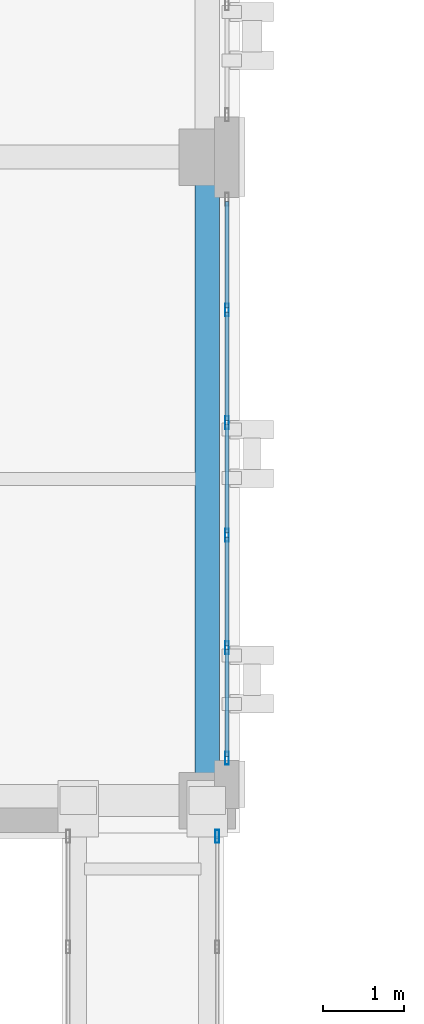
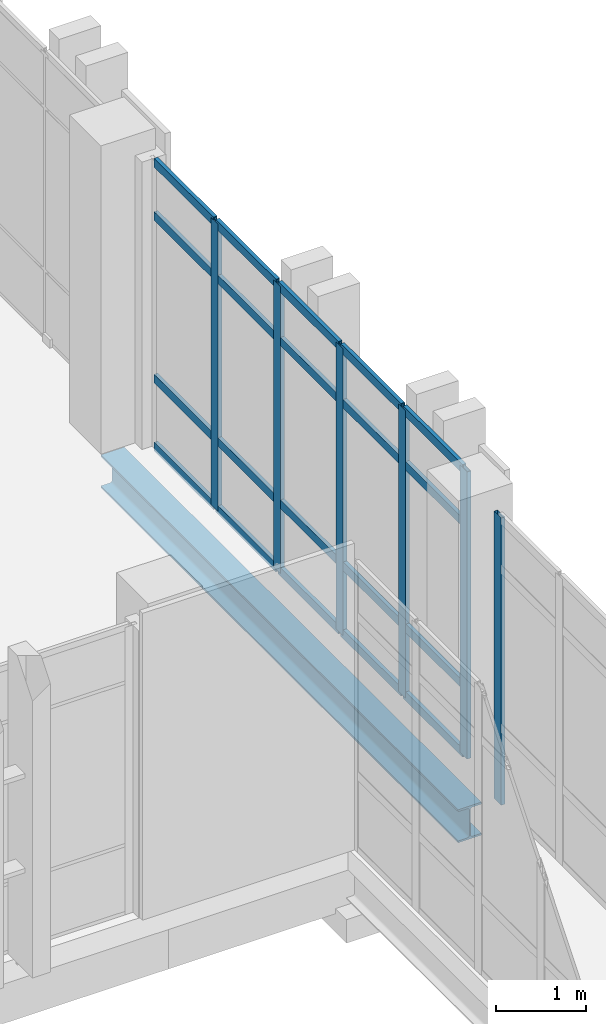
# One storey, part 24 of 193: 26 members, 1 beam, 2 elements without a shape of their own.
"""IFC4 building model written with IfcOpenShell, lengths in metres."""

from ifc_helpers import new_model, si_unit, direction, frame, origin, origin_2d, place, context, subcontext, project, spatial, hollow_rectangle, i_section, extrude, material, layer, layer_set, material_profile, profile_set, type_object, element, aggregate, save


model = new_model("IFC4")

# Units and contexts
model_context = context("Model", 3, precision=1e-05, world=origin(), true_north=direction((0.0, 1.0)))
body_context = subcontext(model_context, "Body", "Model", "MODEL_VIEW")
ifc_project = project(units=[si_unit("LENGTHUNIT", "METRE"), si_unit("AREAUNIT", "SQUARE_METRE"), si_unit("VOLUMEUNIT", "CUBIC_METRE"), si_unit("PLANEANGLEUNIT", "RADIAN"), si_unit("MASSUNIT", "GRAM", prefix="KILO")], contexts=[model_context])

# Site, building, storey
site_placement = place(None, origin())
site = spatial("IfcSite", under=ifc_project, at=site_placement, CompositionType="ELEMENT")
building_placement = place(site_placement, origin())
building = spatial("IfcBuilding", under=site, at=building_placement, Name="Qalavern Law Courts", CompositionType="ELEMENT")
storey_placement = place(building_placement, frame((0.0, 0.0, 10.199951171875)))
storey = spatial("IfcBuildingStorey", under=building, at=storey_placement, Name="L02", CompositionType="ELEMENT", Elevation=10.199951171875)

# Curtain wall, members
ifc_material_1 = material(Name="Anodised aluminium and insulated glazing", Category="aluminium")
ifc_layer_1 = layer(ifc_material_1, 0.172119140625)
ifc_layer_set_1 = layer_set([ifc_layer_1], Name="Anodised aluminium and insulated glazing")
curtain_wall_type_1 = type_object("IfcCurtainWallType", Name="ENV-CW-COURT", PredefinedType="USERDEFINED", material=ifc_layer_set_1)
curtain_wall_1_placement = place(storey_placement, origin())
curtain_wall_1 = element("IfcCurtainWall", 1, at=curtain_wall_1_placement, inside=storey, type_object=curtain_wall_type_1, Name="V3 unitised curtain wall L02 east 1", ObjectType="UNITISED CURTAIN WALL", PredefinedType="USERDEFINED")
ifc_material_2 = material(Name="Anodised aluminium", Category="aluminium")
ifc_material_profile_1 = material_profile(ifc_material_2, hollow_rectangle(XDim=0.048095703125, YDim=0.159912109375, WallThickness=0.00390625, at=origin_2d()), Name="ALU MULLION 48x160")
ifc_profile_set_1 = profile_set([ifc_material_profile_1], Name="Anodised aluminium")
member_type_1 = type_object("IfcMemberType", Name="ENV-CWM-48x160", PredefinedType="MULLION", material=ifc_profile_set_1)
member_1_placement = place(storey_placement, frame((18.64501953125, 41.944091796875, 0.0), z_axis=(0.0, 0.0, 1.0), x_axis=(-1.0, 0.0, 0.0)))
member_1 = element("IfcMember", 2, at=member_1_placement, type_object=member_type_1, Name="CW-03 mullion 1", PredefinedType="MULLION", context=body_context, shape_type="SweptSolid", body=[
    extrude(hollow_rectangle(XDim=0.048095703125, YDim=0.159912109375, WallThickness=0.00390625, at=origin_2d()), origin(), (0.0, 0.0, 1.0), 3.9150390625),
])
member_2_placement = place(storey_placement, frame((18.64501953125, 43.31591796875, 0.0), z_axis=(0.0, 0.0, 1.0), x_axis=(-1.0, 0.0, 0.0)))
member_2 = element("IfcMember", 3, at=member_2_placement, type_object=member_type_1, Name="CW-03 mullion 2", PredefinedType="MULLION", context=body_context, shape_type="SweptSolid", body=[
    extrude(hollow_rectangle(XDim=0.048095703125, YDim=0.159912109375, WallThickness=0.00390625, at=origin_2d()), origin(), (0.0, 0.0, 1.0), 3.9150390625),
])
member_3_placement = place(storey_placement, frame((18.64501953125, 44.7119140625, 0.0), z_axis=(0.0, 0.0, 1.0), x_axis=(-1.0, 0.0, 0.0)))
member_3 = element("IfcMember", 4, at=member_3_placement, type_object=member_type_1, Name="CW-03 mullion 3", PredefinedType="MULLION", context=body_context, shape_type="SweptSolid", body=[
    extrude(hollow_rectangle(XDim=0.048095703125, YDim=0.159912109375, WallThickness=0.00390625, at=origin_2d()), origin(), (0.0, 0.0, 1.0), 3.9150390625),
])
member_4_placement = place(storey_placement, frame((18.64501953125, 46.10791015625, 0.0), z_axis=(0.0, 0.0, 1.0), x_axis=(-1.0, 0.0, 0.0)))
member_4 = element("IfcMember", 5, at=member_4_placement, type_object=member_type_1, Name="CW-03 mullion 4", PredefinedType="MULLION", context=body_context, shape_type="SweptSolid", body=[
    extrude(hollow_rectangle(XDim=0.048095703125, YDim=0.159912109375, WallThickness=0.00390625, at=origin_2d()), origin(), (0.0, 0.0, 1.0), 3.9150390625),
])
member_5_placement = place(storey_placement, frame((18.64501953125, 47.50390625, 0.0), z_axis=(0.0, 0.0, 1.0), x_axis=(-1.0, 0.0, 0.0)))
member_5 = element("IfcMember", 6, at=member_5_placement, type_object=member_type_1, Name="CW-03 mullion 5", PredefinedType="MULLION", context=body_context, shape_type="SweptSolid", body=[
    extrude(hollow_rectangle(XDim=0.048095703125, YDim=0.159912109375, WallThickness=0.00390625, at=origin_2d()), origin(), (0.0, 0.0, 1.0), 3.9150390625),
])

# Curtain wall, member
ifc_layer_2 = layer(ifc_material_1, 0.14990234375)
ifc_layer_set_2 = layer_set([ifc_layer_2], Name="Anodised aluminium and insulated glazing")
curtain_wall_type_2 = type_object("IfcCurtainWallType", Name="ENV-CW-BRG", PredefinedType="USERDEFINED", material=ifc_layer_set_2)
curtain_wall_2_placement = place(storey_placement, origin())
curtain_wall_2 = element("IfcCurtainWall", 7, at=curtain_wall_2_placement, inside=storey, type_object=curtain_wall_type_2, Name="Bridge BR-V1-V3 glazed curtain wall L02-2", ObjectType="UNITISED CURTAIN WALL", PredefinedType="USERDEFINED")
member_6_placement = place(storey_placement, frame((18.52490234375, 40.97607421875, 0.0), z_axis=(0.0, 0.0, 1.0), x_axis=(-1.0, 0.0, 0.0)))
member_6 = element("IfcMember", 8, at=member_6_placement, type_object=member_type_1, Name="CW-06 mullion 6", PredefinedType="MULLION", context=body_context, shape_type="SweptSolid", body=[
    extrude(hollow_rectangle(XDim=0.048095703125, YDim=0.159912109375, WallThickness=0.00390625, at=origin_2d()), origin(), (0.0, 0.0, 1.0), 3.9150390625),
])
aggregate(curtain_wall_2, [member_6])

# Member
ifc_material_profile_2 = material_profile(ifc_material_2, hollow_rectangle(XDim=0.048095703125, YDim=0.1201171875, WallThickness=0.00390625, at=origin_2d()), Name="ALU TRANSOM 48x120")
ifc_profile_set_2 = profile_set([ifc_material_profile_2], Name="Anodised aluminium")
member_type_2 = type_object("IfcMemberType", Name="ENV-CWT-48x120", PredefinedType="USERDEFINED", material=ifc_profile_set_2)
member_7_placement = place(storey_placement, frame((18.64501953125, 41.968017578125, 0.024169921875), z_axis=(0.0, 1.0, 0.0), x_axis=(-1.0, 0.0, 0.0)))
member_7 = element("IfcMember", 9, at=member_7_placement, type_object=member_type_2, Name="CW-03 transom 1.1", ObjectType="TRANSOM", PredefinedType="USERDEFINED", context=body_context, shape_type="SweptSolid", body=[
    extrude(hollow_rectangle(XDim=0.048095703125, YDim=0.1201171875, WallThickness=0.00390625, at=origin_2d()), origin(), (0.0, 0.0, 1.0), 1.323974609375),
])

member_8_placement = place(storey_placement, frame((18.64501953125, 41.968017578125, 0.949951171875), z_axis=(0.0, 1.0, 0.0), x_axis=(-1.0, 0.0, 0.0)))
member_8 = element("IfcMember", 10, at=member_8_placement, type_object=member_type_2, Name="CW-03 transom 1.2", ObjectType="TRANSOM", PredefinedType="USERDEFINED", context=body_context, shape_type="SweptSolid", body=[
    extrude(hollow_rectangle(XDim=0.048095703125, YDim=0.1201171875, WallThickness=0.00390625, at=origin_2d()), origin(), (0.0, 0.0, 1.0), 1.323974609375),
])

member_9_placement = place(storey_placement, frame((18.64501953125, 41.968017578125, 3.1650390625), z_axis=(0.0, 1.0, 0.0), x_axis=(-1.0, 0.0, 0.0)))
member_9 = element("IfcMember", 11, at=member_9_placement, type_object=member_type_2, Name="CW-03 transom 1.3", ObjectType="TRANSOM", PredefinedType="USERDEFINED", context=body_context, shape_type="SweptSolid", body=[
    extrude(hollow_rectangle(XDim=0.048095703125, YDim=0.1201171875, WallThickness=0.00390625, at=origin_2d()), origin(), (0.0, 0.0, 1.0), 1.323974609375),
])

member_10_placement = place(storey_placement, frame((18.64501953125, 41.968017578125, 3.89111328125), z_axis=(0.0, 1.0, 0.0), x_axis=(-1.0, 0.0, 0.0)))
member_10 = element("IfcMember", 12, at=member_10_placement, type_object=member_type_2, Name="CW-03 transom 1.4", ObjectType="TRANSOM", PredefinedType="USERDEFINED", context=body_context, shape_type="SweptSolid", body=[
    extrude(hollow_rectangle(XDim=0.048095703125, YDim=0.1201171875, WallThickness=0.00390625, at=origin_2d()), origin(), (0.0, 0.0, 1.0), 1.323974609375),
])

member_11_placement = place(storey_placement, frame((18.64501953125, 43.340087890625, 0.024169921875), z_axis=(0.0, 1.0, 0.0), x_axis=(-1.0, 0.0, 0.0)))
member_11 = element("IfcMember", 13, at=member_11_placement, type_object=member_type_2, Name="CW-03 transom 2.1", ObjectType="TRANSOM", PredefinedType="USERDEFINED", context=body_context, shape_type="SweptSolid", body=[
    extrude(hollow_rectangle(XDim=0.048095703125, YDim=0.1201171875, WallThickness=0.00390625, at=origin_2d()), origin(), (0.0, 0.0, 1.0), 1.347900390625),
])

member_12_placement = place(storey_placement, frame((18.64501953125, 43.340087890625, 0.949951171875), z_axis=(0.0, 1.0, 0.0), x_axis=(-1.0, 0.0, 0.0)))
member_12 = element("IfcMember", 14, at=member_12_placement, type_object=member_type_2, Name="CW-03 transom 2.2", ObjectType="TRANSOM", PredefinedType="USERDEFINED", context=body_context, shape_type="SweptSolid", body=[
    extrude(hollow_rectangle(XDim=0.048095703125, YDim=0.1201171875, WallThickness=0.00390625, at=origin_2d()), origin(), (0.0, 0.0, 1.0), 1.347900390625),
])

member_13_placement = place(storey_placement, frame((18.64501953125, 43.340087890625, 3.1650390625), z_axis=(0.0, 1.0, 0.0), x_axis=(-1.0, 0.0, 0.0)))
member_13 = element("IfcMember", 15, at=member_13_placement, type_object=member_type_2, Name="CW-03 transom 2.3", ObjectType="TRANSOM", PredefinedType="USERDEFINED", context=body_context, shape_type="SweptSolid", body=[
    extrude(hollow_rectangle(XDim=0.048095703125, YDim=0.1201171875, WallThickness=0.00390625, at=origin_2d()), origin(), (0.0, 0.0, 1.0), 1.347900390625),
])

member_14_placement = place(storey_placement, frame((18.64501953125, 43.340087890625, 3.89111328125), z_axis=(0.0, 1.0, 0.0), x_axis=(-1.0, 0.0, 0.0)))
member_14 = element("IfcMember", 16, at=member_14_placement, type_object=member_type_2, Name="CW-03 transom 2.4", ObjectType="TRANSOM", PredefinedType="USERDEFINED", context=body_context, shape_type="SweptSolid", body=[
    extrude(hollow_rectangle(XDim=0.048095703125, YDim=0.1201171875, WallThickness=0.00390625, at=origin_2d()), origin(), (0.0, 0.0, 1.0), 1.347900390625),
])

member_15_placement = place(storey_placement, frame((18.64501953125, 44.736083984375, 0.024169921875), z_axis=(0.0, 1.0, 0.0), x_axis=(-1.0, 0.0, 0.0)))
member_15 = element("IfcMember", 17, at=member_15_placement, type_object=member_type_2, Name="CW-03 transom 3.1", ObjectType="TRANSOM", PredefinedType="USERDEFINED", context=body_context, shape_type="SweptSolid", body=[
    extrude(hollow_rectangle(XDim=0.048095703125, YDim=0.1201171875, WallThickness=0.00390625, at=origin_2d()), origin(), (0.0, 0.0, 1.0), 1.347900390625),
])

member_16_placement = place(storey_placement, frame((18.64501953125, 44.736083984375, 0.949951171875), z_axis=(0.0, 1.0, 0.0), x_axis=(-1.0, 0.0, 0.0)))
member_16 = element("IfcMember", 18, at=member_16_placement, type_object=member_type_2, Name="CW-03 transom 3.2", ObjectType="TRANSOM", PredefinedType="USERDEFINED", context=body_context, shape_type="SweptSolid", body=[
    extrude(hollow_rectangle(XDim=0.048095703125, YDim=0.1201171875, WallThickness=0.00390625, at=origin_2d()), origin(), (0.0, 0.0, 1.0), 1.347900390625),
])

member_17_placement = place(storey_placement, frame((18.64501953125, 44.736083984375, 3.1650390625), z_axis=(0.0, 1.0, 0.0), x_axis=(-1.0, 0.0, 0.0)))
member_17 = element("IfcMember", 19, at=member_17_placement, type_object=member_type_2, Name="CW-03 transom 3.3", ObjectType="TRANSOM", PredefinedType="USERDEFINED", context=body_context, shape_type="SweptSolid", body=[
    extrude(hollow_rectangle(XDim=0.048095703125, YDim=0.1201171875, WallThickness=0.00390625, at=origin_2d()), origin(), (0.0, 0.0, 1.0), 1.347900390625),
])

member_18_placement = place(storey_placement, frame((18.64501953125, 44.736083984375, 3.89111328125), z_axis=(0.0, 1.0, 0.0), x_axis=(-1.0, 0.0, 0.0)))
member_18 = element("IfcMember", 20, at=member_18_placement, type_object=member_type_2, Name="CW-03 transom 3.4", ObjectType="TRANSOM", PredefinedType="USERDEFINED", context=body_context, shape_type="SweptSolid", body=[
    extrude(hollow_rectangle(XDim=0.048095703125, YDim=0.1201171875, WallThickness=0.00390625, at=origin_2d()), origin(), (0.0, 0.0, 1.0), 1.347900390625),
])

member_19_placement = place(storey_placement, frame((18.64501953125, 46.132080078125, 0.024169921875), z_axis=(0.0, 1.0, 0.0), x_axis=(-1.0, 0.0, 0.0)))
member_19 = element("IfcMember", 21, at=member_19_placement, type_object=member_type_2, Name="CW-03 transom 4.1", ObjectType="TRANSOM", PredefinedType="USERDEFINED", context=body_context, shape_type="SweptSolid", body=[
    extrude(hollow_rectangle(XDim=0.048095703125, YDim=0.1201171875, WallThickness=0.00390625, at=origin_2d()), origin(), (0.0, 0.0, 1.0), 1.347900390625),
])

member_20_placement = place(storey_placement, frame((18.64501953125, 46.132080078125, 0.949951171875), z_axis=(0.0, 1.0, 0.0), x_axis=(-1.0, 0.0, 0.0)))
member_20 = element("IfcMember", 22, at=member_20_placement, type_object=member_type_2, Name="CW-03 transom 4.2", ObjectType="TRANSOM", PredefinedType="USERDEFINED", context=body_context, shape_type="SweptSolid", body=[
    extrude(hollow_rectangle(XDim=0.048095703125, YDim=0.1201171875, WallThickness=0.00390625, at=origin_2d()), origin(), (0.0, 0.0, 1.0), 1.347900390625),
])

member_21_placement = place(storey_placement, frame((18.64501953125, 46.132080078125, 3.1650390625), z_axis=(0.0, 1.0, 0.0), x_axis=(-1.0, 0.0, 0.0)))
member_21 = element("IfcMember", 23, at=member_21_placement, type_object=member_type_2, Name="CW-03 transom 4.3", ObjectType="TRANSOM", PredefinedType="USERDEFINED", context=body_context, shape_type="SweptSolid", body=[
    extrude(hollow_rectangle(XDim=0.048095703125, YDim=0.1201171875, WallThickness=0.00390625, at=origin_2d()), origin(), (0.0, 0.0, 1.0), 1.347900390625),
])

member_22_placement = place(storey_placement, frame((18.64501953125, 46.132080078125, 3.89111328125), z_axis=(0.0, 1.0, 0.0), x_axis=(-1.0, 0.0, 0.0)))
member_22 = element("IfcMember", 24, at=member_22_placement, type_object=member_type_2, Name="CW-03 transom 4.4", ObjectType="TRANSOM", PredefinedType="USERDEFINED", context=body_context, shape_type="SweptSolid", body=[
    extrude(hollow_rectangle(XDim=0.048095703125, YDim=0.1201171875, WallThickness=0.00390625, at=origin_2d()), origin(), (0.0, 0.0, 1.0), 1.347900390625),
])

member_23_placement = place(storey_placement, frame((18.64501953125, 47.528076171875, 0.024169921875), z_axis=(0.0, 1.0, 0.0), x_axis=(-1.0, 0.0, 0.0)))
member_23 = element("IfcMember", 25, at=member_23_placement, type_object=member_type_2, Name="CW-03 transom 5.1", ObjectType="TRANSOM", PredefinedType="USERDEFINED", context=body_context, shape_type="SweptSolid", body=[
    extrude(hollow_rectangle(XDim=0.048095703125, YDim=0.1201171875, WallThickness=0.00390625, at=origin_2d()), origin(), (0.0, 0.0, 1.0), 1.323974609375),
])

member_24_placement = place(storey_placement, frame((18.64501953125, 47.528076171875, 0.949951171875), z_axis=(0.0, 1.0, 0.0), x_axis=(-1.0, 0.0, 0.0)))
member_24 = element("IfcMember", 26, at=member_24_placement, type_object=member_type_2, Name="CW-03 transom 5.2", ObjectType="TRANSOM", PredefinedType="USERDEFINED", context=body_context, shape_type="SweptSolid", body=[
    extrude(hollow_rectangle(XDim=0.048095703125, YDim=0.1201171875, WallThickness=0.00390625, at=origin_2d()), origin(), (0.0, 0.0, 1.0), 1.323974609375),
])

member_25_placement = place(storey_placement, frame((18.64501953125, 47.528076171875, 3.1650390625), z_axis=(0.0, 1.0, 0.0), x_axis=(-1.0, 0.0, 0.0)))
member_25 = element("IfcMember", 27, at=member_25_placement, type_object=member_type_2, Name="CW-03 transom 5.3", ObjectType="TRANSOM", PredefinedType="USERDEFINED", context=body_context, shape_type="SweptSolid", body=[
    extrude(hollow_rectangle(XDim=0.048095703125, YDim=0.1201171875, WallThickness=0.00390625, at=origin_2d()), origin(), (0.0, 0.0, 1.0), 1.323974609375),
])

member_26_placement = place(storey_placement, frame((18.64501953125, 47.528076171875, 3.89111328125), z_axis=(0.0, 1.0, 0.0), x_axis=(-1.0, 0.0, 0.0)))
member_26 = element("IfcMember", 28, at=member_26_placement, type_object=member_type_2, Name="CW-03 transom 5.4", ObjectType="TRANSOM", PredefinedType="USERDEFINED", context=body_context, shape_type="SweptSolid", body=[
    extrude(hollow_rectangle(XDim=0.048095703125, YDim=0.1201171875, WallThickness=0.00390625, at=origin_2d()), origin(), (0.0, 0.0, 1.0), 1.323974609375),
])

aggregate(curtain_wall_1, [member_1, member_2, member_3, member_4, member_5, member_7, member_8, member_9, member_10, member_11, member_12, member_13, member_14, member_15, member_16, member_17, member_18, member_19, member_20, member_21, member_22, member_23, member_24, member_25, member_26])

# Beam
ifc_material_3 = material(Name="Steel S355", Category="steel")
ifc_material_profile_3 = material_profile(ifc_material_3, i_section(OverallWidth=0.300048828125, OverallDepth=0.449951171875, WebThickness=0.013916015625, FlangeThickness=0.02587890625, FilletRadius=0.027099609375, at=origin_2d()), Name="HEB 450")
ifc_profile_set_3 = profile_set([ifc_material_profile_3], Name="Steel S355")
beam_type = type_object("IfcBeamType", Name="STR-SP-HEB450", PredefinedType="SPANDREL", material=ifc_profile_set_3)
beam_placement = place(storey_placement, frame((18.39990234375, 41.419921875, -0.514892578125), z_axis=(0.0, 1.0, 0.0), x_axis=(-1.0, 0.0, 0.0)))
element("IfcBeam", 29, at=beam_placement, inside=storey, type_object=beam_type, Name="V3 Y-beam 3-1 L02", PredefinedType="SPANDREL", context=body_context, shape_type="SweptSolid", body=[
    extrude(i_section(OverallWidth=0.300048828125, OverallDepth=0.449951171875, WebThickness=0.013916015625, FlangeThickness=0.02587890625, FilletRadius=0.027099609375, at=origin_2d()), origin(), (0.0, 0.0, 1.0), 7.97998046875),
])

save(model, "model.ifc")
